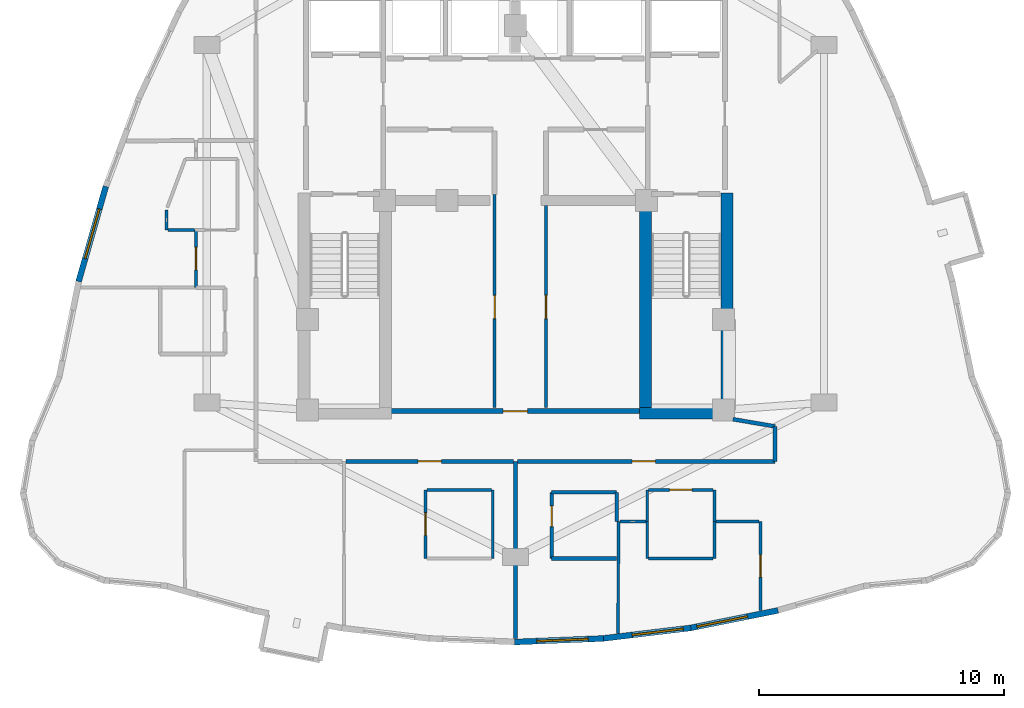
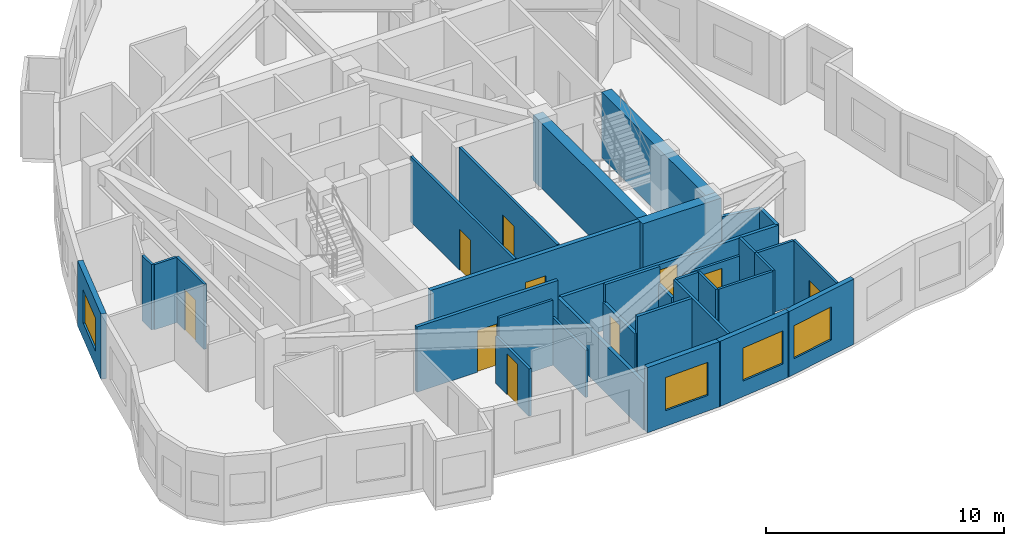
# One storey, part 8 of 13: 35 walls, 10 doors, 4 windows, 14 openings.
"""IFC4 building model written with IfcOpenShell, lengths in metres."""

import ifcopenshell
import ifcopenshell.guid

model = None  # the IFC model being written
_history = None  # IfcOwnerHistory: only IFC2X3 demands one
_inside = {}  # id of a spatial element -> (the spatial element, [elements in it])
_under = {}  # id of a project, library or spatial element -> (it, [spatial elements below it])
_declared = {}  # id of a project -> (the project, [libraries it declares])
_typed = {}  # id of a type object -> (the type object, [elements of that type])
_made_of = {}  # id of a material, layer set ... -> (it, [elements and type objects made of it])


def new_model(schema):
    """Start an empty IFC model of exactly this schema.

    Asked for "IFC4X3", IfcOpenShell would pick the latest addendum, in which some entities
    have other attributes; the version numbers below select the first issue.
    IFC2X3 requires an IfcOwnerHistory on every rooted entity: one is made here for all.
    """
    global model, _history
    if schema == "IFC4X3":
        model = ifcopenshell.file(schema_version=(4, 3, 0, 0))
    else:
        model = ifcopenshell.file(schema=schema)
    _inside.clear()
    _under.clear()
    _declared.clear()
    _typed.clear()
    _made_of.clear()
    _history = None
    if model.schema == "IFC2X3":
        org = make("IfcOrganization", Name="unknown")
        user = make(
            "IfcPersonAndOrganization",
            ThePerson=make("IfcPerson", FamilyName="unknown"),
            TheOrganization=org,
        )
        app = make(
            "IfcApplication",
            ApplicationDeveloper=org,
            Version="unknown",
            ApplicationFullName="unknown",
            ApplicationIdentifier="unknown",
        )
        _history = make(
            "IfcOwnerHistory",
            OwningUser=user,
            OwningApplication=app,
            ChangeAction="ADDED",
            CreationDate=0,
        )
    return model


def make(cls, **values):
    """One entity of the class cls with the attributes given. An attribute that is None is left unset."""
    return model.create_entity(
        cls, **{name: value for name, value in values.items() if value is not None}
    )


def rooted(cls, **values):
    """An entity with a GlobalId (a new one), such as an element, a storey or a relation."""
    return make(cls, GlobalId=ifcopenshell.guid.new(), OwnerHistory=_history, **values)


def si_unit(unit_type, name, prefix=None):
    """IfcSIUnit, for example si_unit("LENGTHUNIT", "METRE", prefix="MILLI")."""
    return make("IfcSIUnit", UnitType=unit_type, Prefix=prefix, Name=name)


def assignment(units):
    """IfcUnitAssignment: the units of a project."""
    return None if units is None else make("IfcUnitAssignment", Units=units)


def point(xyz):
    """IfcCartesianPoint."""
    return None if xyz is None else make("IfcCartesianPoint", Coordinates=xyz)


def direction(xyz):
    """IfcDirection."""
    return None if xyz is None else make("IfcDirection", DirectionRatios=xyz)


def frame(location, z_axis=None, x_axis=None):
    """IfcAxis2Placement3D, a coordinate frame: its origin and axes. An axis left out is left unset."""
    return make(
        "IfcAxis2Placement3D",
        Location=point(location),
        Axis=direction(z_axis),
        RefDirection=direction(x_axis),
    )


def frame_2d(location, x_axis=None):
    """IfcAxis2Placement2D, a coordinate frame in the plane: its origin and x axis."""
    return make(
        "IfcAxis2Placement2D", Location=point(location), RefDirection=direction(x_axis)
    )


def origin():
    """The frame at (0, 0, 0) with its axes left unset."""
    return frame((0.0, 0.0, 0.0))


def place(relative_to, where):
    """IfcLocalPlacement: puts the frame where relative to a parent placement (None: the world)."""
    return make(
        "IfcLocalPlacement", PlacementRelTo=relative_to, RelativePlacement=where
    )


def context(
    kind, dimensions, precision=None, world=None, true_north=None, identifier=None
):
    """IfcGeometricRepresentationContext, for example the 3D "Model" context."""
    return make(
        "IfcGeometricRepresentationContext",
        ContextIdentifier=identifier,
        ContextType=kind,
        CoordinateSpaceDimension=dimensions,
        Precision=precision,
        WorldCoordinateSystem=world,
        TrueNorth=true_north,
    )


def subcontext(parent, identifier, kind, view, scale=None):
    """IfcGeometricRepresentationSubContext, for example "Body" below "Model"."""
    return make(
        "IfcGeometricRepresentationSubContext",
        ContextIdentifier=identifier,
        ContextType=kind,
        ParentContext=parent,
        TargetScale=scale,
        TargetView=view,
    )


def project(units=None, contexts=None):
    """IfcProject with its units and contexts."""
    return rooted(
        "IfcProject",
        Name="project",
        RepresentationContexts=contexts,
        UnitsInContext=assignment(units),
    )


def spatial(cls, under=None, at=None, **own):
    """A site, building, storey or space (cls), placed at a placement, below another one or the project."""
    s = rooted(cls, ObjectPlacement=at, **own)
    if under is not None:
        _under.setdefault(under.id(), (under, []))[1].append(s)
    return s


def profile(cls, at=None, kind="AREA", **sizes):
    """A parametric profile (cls). Its sizes go by their IFC names, for example OverallWidth=200.0."""
    return make(cls, ProfileType=kind, Position=at, **sizes)


def rectangle(**sizes):
    """IfcRectangleProfileDef."""
    return profile("IfcRectangleProfileDef", **sizes)


def extrude(swept, where, along, depth):
    """IfcExtrudedAreaSolid: the profile swept, set in the frame where, extruded along a direction by depth."""
    return make(
        "IfcExtrudedAreaSolid",
        SweptArea=swept,
        Position=where,
        ExtrudedDirection=direction(along),
        Depth=depth,
    )


def shape(context_of_items, identifier, shape_type, items):
    """IfcShapeRepresentation: the items that make up one representation, for example the "Body"."""
    return make(
        "IfcShapeRepresentation",
        ContextOfItems=context_of_items,
        RepresentationIdentifier=identifier,
        RepresentationType=shape_type,
        Items=items,
    )


def material(Name=None, Category=None):
    """IfcMaterial."""
    return make("IfcMaterial", Name=Name, Category=Category)


def layer(
    of_material, thickness, ventilated=None, Name=None, Category=None, Priority=None
):
    """IfcMaterialLayer: one layer of a wall or slab, of a material (None: an air gap)."""
    return make(
        "IfcMaterialLayer",
        Material=of_material,
        LayerThickness=thickness,
        IsVentilated=ventilated,
        Name=Name,
        Category=Category,
        Priority=Priority,
    )


def layer_set(layers, Name=None):
    """IfcMaterialLayerSet."""
    return make("IfcMaterialLayerSet", MaterialLayers=layers, LayerSetName=Name)


def made_of(thing, what):
    """Note that an element or type object is made of a material, layer set ...; save() writes the relation."""
    if what is not None:
        _made_of.setdefault(what.id(), (what, []))[1].append(thing)
    return thing


def type_object(cls, material=None, **own):
    """A type object (cls), such as IfcWallType, which elements share."""
    return made_of(rooted(cls, **own), material)


def element(
    cls,
    number,
    at=None,
    inside=None,
    cuts=None,
    type_object=None,
    material=None,
    context=None,
    identifier="Body",
    shape_type=None,
    held_by="IfcProductDefinitionShape",
    body=None,
    shapes=None,
    **own,
):
    """One element of the class cls, such as IfcWall. Its Tag is "e" and its number.

    at: its placement. inside: the storey or other place that contains it. cuts: it is an
    opening in that element (IfcRelVoidsElement). A single representation is given by context,
    identifier, shape_type and body (its items); several are given by shapes. held_by: the class
    of the entity that holds the representations. save() writes the other relations.
    """
    e = rooted(cls, Tag="e%d" % number, ObjectPlacement=at, **own)
    if body is not None:
        shapes = [shape(context, identifier, shape_type, body)]
    if shapes is not None:
        e.Representation = make(held_by, Representations=shapes)
    if inside is not None:
        _inside.setdefault(inside.id(), (inside, []))[1].append(e)
    if cuts is not None:
        rooted(
            "IfcRelVoidsElement", RelatingBuildingElement=cuts, RelatedOpeningElement=e
        )
    if type_object is not None:
        _typed.setdefault(type_object.id(), (type_object, []))[1].append(e)
    return made_of(e, material)


def fill(opening, filler):
    """IfcRelFillsElement: the door or window that sits in an opening."""
    return rooted(
        "IfcRelFillsElement",
        RelatingOpeningElement=opening,
        RelatedBuildingElement=filler,
    )


def aggregate(whole, parts):
    """IfcRelAggregates: a whole, such as a stair, and the parts it consists of."""
    return rooted("IfcRelAggregates", RelatingObject=whole, RelatedObjects=parts)


def save(model, path):
    """Write the relations noted so far, then the file.

    IfcRelAggregates (storeys below a building ...), IfcRelContainedInSpatialStructure (elements
    in a storey), IfcRelDefinesByType, IfcRelAssociatesMaterial and IfcRelDeclares: one each for
    every whole, place, type object, material and project.
    """
    for whole, parts in _under.values():
        aggregate(whole, parts)
    for where, things in _inside.values():
        rooted(
            "IfcRelContainedInSpatialStructure",
            RelatedElements=things,
            RelatingStructure=where,
        )
    for kind, things in _typed.values():
        rooted("IfcRelDefinesByType", RelatedObjects=things, RelatingType=kind)
    for what, things in _made_of.values():
        rooted("IfcRelAssociatesMaterial", RelatedObjects=things, RelatingMaterial=what)
    for by, libraries in _declared.values():
        rooted("IfcRelDeclares", RelatingContext=by, RelatedDefinitions=libraries)
    model.write(path)


model = new_model("IFC4")

# Units and contexts
model_context = context("Model", 3, precision=1e-05, world=origin(), true_north=direction((0.0, 1.0)))
body_context = subcontext(model_context, "Body", "Model", "MODEL_VIEW")
ifc_project = project(units=[si_unit("LENGTHUNIT", "METRE"), si_unit("AREAUNIT", "SQUARE_METRE"), si_unit("VOLUMEUNIT", "CUBIC_METRE"), si_unit("PLANEANGLEUNIT", "RADIAN"), si_unit("MASSUNIT", "GRAM", prefix="KILO")], contexts=[model_context])

# Site, building, storey
site_placement = place(None, origin())
site = spatial("IfcSite", under=ifc_project, at=site_placement, CompositionType="ELEMENT")
building_placement = place(site_placement, origin())
building = spatial("IfcBuilding", under=site, at=building_placement, Name="Miruveldt Soraemaru", CompositionType="ELEMENT")
storey_placement = place(building_placement, frame((0.0, 0.0, 201.60009765625)))
storey = spatial("IfcBuildingStorey", under=building, at=storey_placement, Name="L55", CompositionType="ELEMENT", Elevation=201.60009765625)

# Walls
ifc_material_1 = material(Name="Concrete C60/75 (60 MPa)", Category="concrete")
ifc_layer_1 = layer(ifc_material_1, 0.47998046875, Name="Concrete C60/75 (60 MPa)", Category="concrete")
ifc_layer_set_1 = layer_set([ifc_layer_1], Name="Concrete C60/75 (60 MPa)")
wall_type_1 = type_object("IfcWallType", Name="WALL-CW-480", PredefinedType="SHEAR", material=ifc_layer_set_1)
wall_1_placement = place(storey_placement, frame((49.070068359375, 35.360107421875, 0.0), z_axis=(0.0, 0.0, 1.0), x_axis=(1.0, 0.0, 0.0)))
element("IfcWall", 1, at=wall_1_placement, inside=storey, type_object=wall_type_1, Name="L55 Central Core Shear Wall S2", PredefinedType="SHEAR", context=body_context, shape_type="SweptSolid", body=[
    extrude(rectangle(XDim=3.809814453125, YDim=0.47998046875, at=frame_2d((1.90478515625, 0.0))), origin(), (0.0, 0.0, 1.0), 3.344970703125),
])
wall_2_placement = place(storey_placement, frame((52.639892578125, 35.1201171875, 0.0), z_axis=(0.0, 0.0, 1.0), x_axis=(0.0, 1.0, 0.0)))
element("IfcWall", 2, at=wall_2_placement, inside=storey, type_object=wall_type_1, Name="L55 Central Core Shear Wall E1", PredefinedType="SHEAR", context=body_context, shape_type="SweptSolid", body=[
    extrude(rectangle(XDim=9.22998046875, YDim=0.47998046875, at=frame_2d((4.614990234375, 0.0))), origin(), (0.0, 0.0, 1.0), 3.344970703125),
])
wall_3_placement = place(storey_placement, frame((49.31005859375, 35.39990234375, 0.0), z_axis=(0.0, 0.0, 1.0), x_axis=(0.0, 1.0, 0.0)))
element("IfcWall", 3, at=wall_3_placement, inside=storey, type_object=wall_type_1, Name="L55 Central Core Shear Wall SE-INT", PredefinedType="SHEAR", context=body_context, shape_type="SweptSolid", body=[
    extrude(rectangle(XDim=8.9501953125, YDim=0.47998046875, at=frame_2d((4.47509765625, 0.0))), origin(), (0.0, 0.0, 1.0), 3.344970703125),
])

# Wall, opening, window
ifc_material_2 = material(Name="Precast concrete C45/55 (45 MPa)", Category="concrete")
ifc_layer_2 = layer(ifc_material_2, 0.239990234375, Name="Precast concrete C45/55 (45 MPa)", Category="concrete")
ifc_layer_set_2 = layer_set([ifc_layer_2], Name="Precast concrete C45/55 (45 MPa)")
wall_type_2 = type_object("IfcWallType", Name="WALL-EXT-PC240", PredefinedType="SOLIDWALL", material=ifc_layer_set_2)
wall_4_placement = place(storey_placement, frame((27.270263671875, 44.625732421875, 0.0), z_axis=(0.0, 0.0, 1.0), x_axis=(-0.274960878959, -0.961455415005, 0.0)))
wall_4 = element("IfcWall", 4, at=wall_4_placement, inside=storey, type_object=wall_type_2, Name="L55 Precast Concrete Facade Wall 13", PredefinedType="SOLIDWALL", context=body_context, shape_type="SweptSolid", body=[
    extrude(rectangle(XDim=4.03466796875, YDim=0.239990234375, at=frame_2d((2.017333984375, 0.0))), origin(), (0.0, 0.0, 1.0), 3.344970703125),
])
opening_1_placement = place(wall_4_placement, frame((0.9580078125, 0.0, 0.800048828125)))
opening_1 = element("IfcOpeningElement", 5, at=opening_1_placement, cuts=wall_4, Name="Opening WN-1", PredefinedType="OPENING", context=body_context, shape_type="SweptSolid", body=[
    extrude(rectangle(XDim=2.10009765625, YDim=1.699951171875, at=frame_2d((1.050048828125, 0.85009765625))), frame((0.0, 0.1298828125, 0.0), z_axis=(0.0, -1.0, 0.0), x_axis=(1.0, 0.0, 0.0)), (0.0, 0.0, 1.0), 0.260009765625),
])
ifc_material_3 = material(Name="Triple low-e insulated glazing", Category="glass")
window_type = type_object("IfcWindowType", Name="WIN-PUNCH-2100x1700", PartitioningType="SINGLE_PANEL", PredefinedType="WINDOW", material=ifc_material_3)
window_1_placement = place(opening_1_placement, origin())
window_1 = element("IfcWindow", 6, at=window_1_placement, inside=storey, type_object=window_type, Name="L55 Punched Triple-Glazed Window 13.1", OverallHeight=1.699951171875, OverallWidth=2.10009765625, PartitioningType="SINGLE_PANEL", PredefinedType="WINDOW", context=body_context, shape_type="SweptSolid", body=[
    extrude(rectangle(XDim=2.10009765625, YDim=1.699951171875, at=frame_2d((1.050048828125, 0.85009765625))), frame((0.0, 0.030029296875, 0.0), z_axis=(0.0, -1.0, 0.0), x_axis=(1.0, 0.0, 0.0)), (0.0, 0.0, 1.0), 0.06005859375),
])
fill(opening_1, window_1)

wall_5_placement = place(storey_placement, frame((43.965087890625, 26.022705078125, 0.0), z_axis=(0.0, 0.0, 1.0), x_axis=(0.999201387771, 0.039957310688, 0.0)))
wall_5 = element("IfcWall", 7, at=wall_5_placement, inside=storey, type_object=wall_type_2, Name="L55 Precast Concrete Facade Wall 25", PredefinedType="SOLIDWALL", context=body_context, shape_type="SweptSolid", body=[
    extrude(rectangle(XDim=3.635498046875, YDim=0.239990234375, at=frame_2d((1.81787109375, 0.0))), origin(), (0.0, 0.0, 1.0), 3.344970703125),
])
opening_2_placement = place(wall_5_placement, frame((0.907958984375, 0.0, 0.800048828125)))
opening_2 = element("IfcOpeningElement", 8, at=opening_2_placement, cuts=wall_5, Name="Opening WN-1", PredefinedType="OPENING", context=body_context, shape_type="SweptSolid", body=[
    extrude(rectangle(XDim=2.10009765625, YDim=1.699951171875, at=frame_2d((1.050048828125, 0.85009765625))), frame((0.0, 0.1298828125, 0.0), z_axis=(0.0, -1.0, 0.0), x_axis=(1.0, 0.0, 0.0)), (0.0, 0.0, 1.0), 0.260009765625),
])
window_2_placement = place(opening_2_placement, origin())
window_2 = element("IfcWindow", 9, at=window_2_placement, inside=storey, type_object=window_type, Name="L55 Punched Triple-Glazed Window 25.1", OverallHeight=1.699951171875, OverallWidth=2.10009765625, PartitioningType="SINGLE_PANEL", PredefinedType="WINDOW", context=body_context, shape_type="SweptSolid", body=[
    extrude(rectangle(XDim=2.10009765625, YDim=1.699951171875, at=frame_2d((1.050048828125, 0.85009765625))), frame((0.0, 0.030029296875, 0.0), z_axis=(0.0, -1.0, 0.0), x_axis=(1.0, 0.0, 0.0)), (0.0, 0.0, 1.0), 0.06005859375),
])
fill(opening_2, window_2)

wall_6_placement = place(storey_placement, frame((47.52783203125, 26.162353515625, 0.0), z_axis=(0.0, 0.0, 1.0), x_axis=(0.992878733164, 0.119129430577, 0.0)))
wall_6 = element("IfcWall", 10, at=wall_6_placement, inside=storey, type_object=wall_type_2, Name="L55 Precast Concrete Facade Wall 26", PredefinedType="SOLIDWALL", context=body_context, shape_type="SweptSolid", body=[
    extrude(rectangle(XDim=3.658203125, YDim=0.239990234375, at=frame_2d((1.8291015625, 0.0))), origin(), (0.0, 0.0, 1.0), 3.344970703125),
])
opening_3_placement = place(wall_6_placement, frame((1.241943359375, 0.0, 0.800048828125)))
opening_3 = element("IfcOpeningElement", 11, at=opening_3_placement, cuts=wall_6, Name="Opening WN-1", PredefinedType="OPENING", context=body_context, shape_type="SweptSolid", body=[
    extrude(rectangle(XDim=2.10009765625, YDim=1.699951171875, at=frame_2d((1.050048828125, 0.85009765625))), frame((0.0, 0.1298828125, 0.0), z_axis=(0.0, -1.0, 0.0), x_axis=(1.0, 0.0, 0.0)), (0.0, 0.0, 1.0), 0.260009765625),
])
window_3_placement = place(opening_3_placement, origin())
window_3 = element("IfcWindow", 12, at=window_3_placement, inside=storey, type_object=window_type, Name="L55 Punched Triple-Glazed Window 26.1", OverallHeight=1.699951171875, OverallWidth=2.10009765625, PartitioningType="SINGLE_PANEL", PredefinedType="WINDOW", context=body_context, shape_type="SweptSolid", body=[
    extrude(rectangle(XDim=2.10009765625, YDim=1.699951171875, at=frame_2d((1.050048828125, 0.85009765625))), frame((0.0, 0.030029296875, 0.0), z_axis=(0.0, -1.0, 0.0), x_axis=(1.0, 0.0, 0.0)), (0.0, 0.0, 1.0), 0.06005859375),
])
fill(opening_3, window_3)

wall_7_placement = place(storey_placement, frame((51.0908203125, 26.587158203125, 0.0), z_axis=(0.0, 0.0, 1.0), x_axis=(0.980575603831, 0.196141492732, 0.0)))
wall_7 = element("IfcWall", 13, at=wall_7_placement, inside=storey, type_object=wall_type_2, Name="L55 Precast Concrete Facade Wall 27", PredefinedType="SOLIDWALL", context=body_context, shape_type="SweptSolid", body=[
    extrude(rectangle(XDim=3.703125, YDim=0.239990234375, at=frame_2d((1.8515625, 0.0))), origin(), (0.0, 0.0, 1.0), 3.344970703125),
])
opening_4_placement = place(wall_7_placement, frame((0.327880859375, 0.0, 0.800048828125)))
opening_4 = element("IfcOpeningElement", 14, at=opening_4_placement, cuts=wall_7, Name="Opening WN-1", PredefinedType="OPENING", context=body_context, shape_type="SweptSolid", body=[
    extrude(rectangle(XDim=2.10009765625, YDim=1.699951171875, at=frame_2d((1.050048828125, 0.85009765625))), frame((0.0, 0.1298828125, 0.0), z_axis=(0.0, -1.0, 0.0), x_axis=(1.0, 0.0, 0.0)), (0.0, 0.0, 1.0), 0.260009765625),
])
window_4_placement = place(opening_4_placement, origin())
window_4 = element("IfcWindow", 15, at=window_4_placement, inside=storey, type_object=window_type, Name="L55 Punched Triple-Glazed Window 27.1", OverallHeight=1.699951171875, OverallWidth=2.10009765625, PartitioningType="SINGLE_PANEL", PredefinedType="WINDOW", context=body_context, shape_type="SweptSolid", body=[
    extrude(rectangle(XDim=2.10009765625, YDim=1.699951171875, at=frame_2d((1.050048828125, 0.85009765625))), frame((0.0, 0.030029296875, 0.0), z_axis=(0.0, -1.0, 0.0), x_axis=(1.0, 0.0, 0.0)), (0.0, 0.0, 1.0), 0.06005859375),
])
fill(opening_4, window_4)

# Wall, opening, door
ifc_material_4 = material(Name="Gypsum plasterboard lining", Category="gypsum")
ifc_layer_3 = layer(ifc_material_4, 0.1201171875, Name="Gypsum plasterboard lining", Category="gypsum")
ifc_layer_set_3 = layer_set([ifc_layer_3], Name="Gypsum plasterboard lining")
wall_type_3 = type_object("IfcWallType", Name="WALL-INT-P120", PredefinedType="PARTITIONING", material=ifc_layer_set_3)
wall_8_placement = place(storey_placement, frame((43.14990234375, 35.60009765625, 0.0), z_axis=(0.0, 0.0, 1.0), x_axis=(0.0, 1.0, 0.0)))
wall_8 = element("IfcWall", 16, at=wall_8_placement, inside=storey, type_object=wall_type_3, Name="L55 Core Compartment Wall SP-WL", PredefinedType="PARTITIONING", context=body_context, shape_type="SweptSolid", body=[
    extrude(rectangle(XDim=8.699951171875, YDim=0.1201171875, at=frame_2d((4.35009765625, 0.0))), origin(), (0.0, 0.0, 1.0), 3.344970703125),
])
opening_5_placement = place(wall_8_placement, frame((3.625, 0.0, 0.0)))
opening_5 = element("IfcOpeningElement", 17, at=opening_5_placement, cuts=wall_8, Name="Opening D2", PredefinedType="OPENING", context=body_context, shape_type="SweptSolid", body=[
    extrude(rectangle(XDim=0.949951171875, YDim=2.10009765625, at=frame_2d((0.47509765625, 1.050048828125))), frame((0.0, 0.070068359375, 0.0), z_axis=(0.0, -1.0, 0.0), x_axis=(1.0, 0.0, 0.0)), (0.0, 0.0, 1.0), 0.14013671875),
])
ifc_material_5 = material(Name="Anodised aluminium EN AW-6063 T6", Category="aluminium")
door_type_1 = type_object("IfcDoorType", Name="DOOR-INT-950", OperationType="NOTDEFINED", PredefinedType="DOOR", material=ifc_material_5)
door_1_placement = place(opening_5_placement, origin())
door_1 = element("IfcDoor", 18, at=door_1_placement, inside=storey, type_object=door_type_1, Name="L55 Fire Door", OperationType="SINGLE_SWING_LEFT", OverallHeight=2.10009765625, OverallWidth=0.949951171875, PredefinedType="DOOR", context=body_context, shape_type="SweptSolid", body=[
    extrude(rectangle(XDim=0.949951171875, YDim=2.10009765625, at=frame_2d((0.47509765625, 1.050048828125))), frame((0.0, 0.02490234375, 0.0), z_axis=(0.0, -1.0, 0.0), x_axis=(1.0, 0.0, 0.0)), (0.0, 0.0, 1.0), 0.050048828125),
])
fill(opening_5, door_1)

wall_9_placement = place(storey_placement, frame((45.25, 35.60009765625, 0.0), z_axis=(0.0, 0.0, 1.0), x_axis=(0.0, 1.0, 0.0)))
wall_9 = element("IfcWall", 19, at=wall_9_placement, inside=storey, type_object=wall_type_3, Name="L55 Core Compartment Wall SP-EL", PredefinedType="PARTITIONING", context=body_context, shape_type="SweptSolid", body=[
    extrude(rectangle(XDim=8.25, YDim=0.1201171875, at=frame_2d((4.125, 0.0))), origin(), (0.0, 0.0, 1.0), 3.344970703125),
])
opening_6_placement = place(wall_9_placement, frame((3.625, 0.0, 0.0)))
opening_6 = element("IfcOpeningElement", 20, at=opening_6_placement, cuts=wall_9, Name="Opening D2", PredefinedType="OPENING", context=body_context, shape_type="SweptSolid", body=[
    extrude(rectangle(XDim=0.949951171875, YDim=2.10009765625, at=frame_2d((0.47509765625, 1.050048828125))), frame((0.0, 0.070068359375, 0.0), z_axis=(0.0, -1.0, 0.0), x_axis=(1.0, 0.0, 0.0)), (0.0, 0.0, 1.0), 0.14013671875),
])
door_2_placement = place(opening_6_placement, origin())
door_2 = element("IfcDoor", 21, at=door_2_placement, inside=storey, type_object=door_type_1, Name="L55 Fire Door", OperationType="SINGLE_SWING_LEFT", OverallHeight=2.10009765625, OverallWidth=0.949951171875, PredefinedType="DOOR", context=body_context, shape_type="SweptSolid", body=[
    extrude(rectangle(XDim=0.949951171875, YDim=2.10009765625, at=frame_2d((0.47509765625, 1.050048828125))), frame((0.0, 0.02490234375, 0.0), z_axis=(0.0, -1.0, 0.0), x_axis=(1.0, 0.0, 0.0)), (0.0, 0.0, 1.0), 0.050048828125),
])
fill(opening_6, door_2)

wall_10_placement = place(storey_placement, frame((54.012939453125, 30.949951171875, 0.0), z_axis=(0.0, 0.0, 1.0), x_axis=(-0.003015667831, -0.999995452863, 0.0)))
wall_10 = element("IfcWall", 22, at=wall_10_placement, inside=storey, type_object=wall_type_3, Name="L55 Partition Wall 52", PredefinedType="PARTITIONING", context=body_context, shape_type="SweptSolid", body=[
    extrude(rectangle(XDim=3.64306640625, YDim=0.1201171875, at=frame_2d((1.821533203125, 0.0))), origin(), (0.0, 0.0, 1.0), 3.344970703125),
])
opening_7_placement = place(wall_10_placement, frame((1.362060546875, 0.0, 0.0)))
opening_7 = element("IfcOpeningElement", 23, at=opening_7_placement, cuts=wall_10, Name="Opening D3A", PredefinedType="OPENING", context=body_context, shape_type="SweptSolid", body=[
    extrude(rectangle(XDim=0.919921875, YDim=2.10009765625, at=frame_2d((0.4599609375, 1.050048828125))), frame((0.0, 0.070068359375, 0.0), z_axis=(0.0, -1.0, 0.0), x_axis=(1.0, 0.0, 0.0)), (0.0, 0.0, 1.0), 0.14013671875),
])
door_type_2 = type_object("IfcDoorType", Name="DOOR-INT-920", OperationType="NOTDEFINED", PredefinedType="DOOR", material=ifc_material_5)
door_3_placement = place(opening_7_placement, origin())
door_3 = element("IfcDoor", 24, at=door_3_placement, inside=storey, type_object=door_type_2, Name="L55 Unit 5504 BD1 Door", OperationType="SINGLE_SWING_LEFT", OverallHeight=2.10009765625, OverallWidth=0.919921875, PredefinedType="DOOR", context=body_context, shape_type="SweptSolid", body=[
    extrude(rectangle(XDim=0.919921875, YDim=2.10009765625, at=frame_2d((0.4599609375, 1.050048828125))), frame((0.0, 0.02490234375, 0.0), z_axis=(0.0, -1.0, 0.0), x_axis=(1.0, 0.0, 0.0)), (0.0, 0.0, 1.0), 0.050048828125),
])
fill(opening_7, door_3)

wall_11_placement = place(storey_placement, frame((40.322021484375, 32.236083984375, 0.0), z_axis=(0.0, 0.0, 1.0), x_axis=(0.0, -1.0, 0.0)))
wall_11 = element("IfcWall", 25, at=wall_11_placement, inside=storey, type_object=wall_type_3, Name="L55 Partition Wall 28", PredefinedType="PARTITIONING", context=body_context, shape_type="SweptSolid", body=[
    extrude(rectangle(XDim=2.800048828125, YDim=0.1201171875, at=frame_2d((1.39990234375, 0.0))), origin(), (0.0, 0.0, 1.0), 2.432861328125),
])
opening_8_placement = place(wall_11_placement, frame((0.93994140625, 0.0, 0.0)))
opening_8 = element("IfcOpeningElement", 26, at=opening_8_placement, cuts=wall_11, Name="Opening D3A", PredefinedType="OPENING", context=body_context, shape_type="SweptSolid", body=[
    extrude(rectangle(XDim=0.919921875, YDim=2.10009765625, at=frame_2d((0.4599609375, 1.050048828125))), frame((0.0, 0.070068359375, 0.0), z_axis=(0.0, -1.0, 0.0), x_axis=(1.0, 0.0, 0.0)), (0.0, 0.0, 1.0), 0.14013671875),
])
door_4_placement = place(opening_8_placement, origin())
door_4 = element("IfcDoor", 27, at=door_4_placement, inside=storey, type_object=door_type_2, Name="L55 Unit 5502 KIT Door", OperationType="SINGLE_SWING_RIGHT", OverallHeight=2.10009765625, OverallWidth=0.919921875, PredefinedType="DOOR", context=body_context, shape_type="SweptSolid", body=[
    extrude(rectangle(XDim=0.919921875, YDim=2.10009765625, at=frame_2d((0.4599609375, 1.050048828125))), frame((0.0, 0.02490234375, 0.0), z_axis=(0.0, -1.0, 0.0), x_axis=(1.0, 0.0, 0.0)), (0.0, 0.0, 1.0), 0.050048828125),
])
fill(opening_8, door_4)

wall_12_placement = place(storey_placement, frame((52.070068359375, 32.236083984375, 0.0), z_axis=(0.0, 0.0, 1.0), x_axis=(-1.0, 0.0, 0.0)))
wall_12 = element("IfcWall", 28, at=wall_12_placement, inside=storey, type_object=wall_type_3, Name="L55 Partition Wall 48", PredefinedType="PARTITIONING", context=body_context, shape_type="SweptSolid", body=[
    extrude(rectangle(XDim=2.630126953125, YDim=0.1201171875, at=frame_2d((1.31494140625, 0.0))), origin(), (0.0, 0.0, 1.0), 2.432861328125),
])
opening_9_placement = place(wall_12_placement, frame((0.85498046875, 0.0, 0.0)))
opening_9 = element("IfcOpeningElement", 29, at=opening_9_placement, cuts=wall_12, Name="Opening D3A", PredefinedType="OPENING", context=body_context, shape_type="SweptSolid", body=[
    extrude(rectangle(XDim=0.919921875, YDim=2.10009765625, at=frame_2d((0.4599609375, 1.050048828125))), frame((0.0, 0.070068359375, 0.0), z_axis=(0.0, -1.0, 0.0), x_axis=(1.0, 0.0, 0.0)), (0.0, 0.0, 1.0), 0.14013671875),
])
door_5_placement = place(opening_9_placement, origin())
door_5 = element("IfcDoor", 30, at=door_5_placement, inside=storey, type_object=door_type_2, Name="L55 Unit 5504 KIT Door", OperationType="SINGLE_SWING_RIGHT", OverallHeight=2.10009765625, OverallWidth=0.919921875, PredefinedType="DOOR", context=body_context, shape_type="SweptSolid", body=[
    extrude(rectangle(XDim=0.919921875, YDim=2.10009765625, at=frame_2d((0.4599609375, 1.050048828125))), frame((0.0, 0.02490234375, 0.0), z_axis=(0.0, -1.0, 0.0), x_axis=(1.0, 0.0, 0.0)), (0.0, 0.0, 1.0), 0.050048828125),
])
fill(opening_9, door_5)

wall_13_placement = place(storey_placement, frame((30.949951171875, 42.85009765625, 0.0), z_axis=(0.0, 0.0, 1.0), x_axis=(0.0, -1.0, 0.0)))
wall_13 = element("IfcWall", 31, at=wall_13_placement, inside=storey, type_object=wall_type_3, Name="L55 Partition Wall 39", PredefinedType="PARTITIONING", context=body_context, shape_type="SweptSolid", body=[
    extrude(rectangle(XDim=2.34814453125, YDim=0.1201171875, at=frame_2d((1.174072265625, 0.0))), origin(), (0.0, 0.0, 1.0), 3.344970703125),
])
opening_10_placement = place(wall_13_placement, frame((0.714111328125, 0.0, 0.0)))
opening_10 = element("IfcOpeningElement", 32, at=opening_10_placement, cuts=wall_13, Name="Opening D3A", PredefinedType="OPENING", context=body_context, shape_type="SweptSolid", body=[
    extrude(rectangle(XDim=0.919921875, YDim=2.10009765625, at=frame_2d((0.4599609375, 1.050048828125))), frame((0.0, 0.070068359375, 0.0), z_axis=(0.0, -1.0, 0.0), x_axis=(1.0, 0.0, 0.0)), (0.0, 0.0, 1.0), 0.14013671875),
])
door_6_placement = place(opening_10_placement, origin())
door_6 = element("IfcDoor", 33, at=door_6_placement, inside=storey, type_object=door_type_2, Name="L55 Unit 5503 BD1 Door", OperationType="SINGLE_SWING_LEFT", OverallHeight=2.10009765625, OverallWidth=0.919921875, PredefinedType="DOOR", context=body_context, shape_type="SweptSolid", body=[
    extrude(rectangle(XDim=0.919921875, YDim=2.10009765625, at=frame_2d((0.4599609375, 1.050048828125))), frame((0.0, 0.02490234375, 0.0), z_axis=(0.0, -1.0, 0.0), x_axis=(1.0, 0.0, 0.0)), (0.0, 0.0, 1.0), 0.050048828125),
])
fill(opening_10, door_6)

# Walls
wall_14_placement = place(storey_placement, frame((48.193115234375, 26.3779296875, 0.0), z_axis=(0.0, 0.0, 1.0), x_axis=(0.001495165734, 0.999998882239, 0.0)))
element("IfcWall", 34, at=wall_14_placement, inside=storey, type_object=wall_type_3, Name="L55 Partition Wall 64", PredefinedType="PARTITIONING", context=body_context, shape_type="SweptSolid", body=[
    extrude(rectangle(XDim=4.572021484375, YDim=0.1201171875, at=frame_2d((2.2861328125, 0.0))), origin(), (0.0, 0.0, 1.0), 3.344970703125),
])
wall_15_placement = place(storey_placement, frame((43.072021484375, 29.43603515625, 0.0), z_axis=(0.0, 0.0, 1.0), x_axis=(0.0, 1.0, 0.0)))
element("IfcWall", 35, at=wall_15_placement, inside=storey, type_object=wall_type_3, Name="L55 Partition Wall 26", PredefinedType="PARTITIONING", context=body_context, shape_type="SweptSolid", body=[
    extrude(rectangle(XDim=2.800048828125, YDim=0.1201171875, at=frame_2d((1.39990234375, 0.0))), origin(), (0.0, 0.0, 1.0), 2.432861328125),
])
wall_16_placement = place(storey_placement, frame((43.011962890625, 32.236083984375, 0.0), z_axis=(0.0, 0.0, 1.0), x_axis=(-1.0, 0.0, 0.0)))
element("IfcWall", 36, at=wall_16_placement, inside=storey, type_object=wall_type_3, Name="L55 Partition Wall 27", PredefinedType="PARTITIONING", context=body_context, shape_type="SweptSolid", body=[
    extrude(rectangle(XDim=2.6298828125, YDim=0.1201171875, at=frame_2d((1.31494140625, 0.0))), origin(), (0.0, 0.0, 1.0), 3.344970703125),
])
wall_17_placement = place(storey_placement, frame((49.43994140625, 29.43603515625, 0.0), z_axis=(0.0, 0.0, 1.0), x_axis=(1.0, 0.0, 0.0)))
element("IfcWall", 37, at=wall_17_placement, inside=storey, type_object=wall_type_3, Name="L55 Partition Wall 54", PredefinedType="PARTITIONING", context=body_context, shape_type="SweptSolid", body=[
    extrude(rectangle(XDim=2.630126953125, YDim=0.1201171875, at=frame_2d((1.31494140625, 0.0))), origin(), (0.0, 0.0, 1.0), 3.344970703125),
])
wall_18_placement = place(storey_placement, frame((52.18994140625, 30.949951171875, 0.0), z_axis=(0.0, 0.0, 1.0), x_axis=(1.0, 0.0, 0.0)))
element("IfcWall", 38, at=wall_18_placement, inside=storey, type_object=wall_type_3, Name="L55 Partition Wall 51", PredefinedType="PARTITIONING", context=body_context, shape_type="SweptSolid", body=[
    extrude(rectangle(XDim=1.762939453125, YDim=0.1201171875, at=frame_2d((0.88134765625, 0.0))), origin(), (0.0, 0.0, 1.0), 3.344970703125),
])
for number, where, z_axis, x_axis, name in (
    (39, (49.3798828125, 30.949951171875, 0.0), (0.0, 0.0, 1.0), (0.0, -1.0, 0.0), "L55 Partition Wall 53"),
    (40, (52.1298828125, 29.43603515625, 0.0), (0.0, 0.0, 1.0), (0.0, 1.0, 0.0), "L55 Partition Wall 55"),
):
    element("IfcWall", number, at=place(storey_placement, frame(where, z_axis=z_axis, x_axis=x_axis)), inside=storey, type_object=wall_type_3, Name=name, PredefinedType="PARTITIONING", context=body_context, shape_type="SweptSolid", body=[
        extrude(rectangle(XDim=1.513916015625, YDim=0.1201171875, at=frame_2d((0.7568359375, 0.0))), origin(), (0.0, 0.0, 1.0), 3.344970703125),
    ])
wall_19_placement = place(storey_placement, frame((52.1298828125, 30.949951171875, 0.0), z_axis=(0.0, 0.0, 1.0), x_axis=(0.0, 1.0, 0.0)))
element("IfcWall", 41, at=wall_19_placement, inside=storey, type_object=wall_type_3, Name="L55 Partition Wall 47", PredefinedType="PARTITIONING", context=body_context, shape_type="SweptSolid", body=[
    extrude(rectangle(XDim=1.2861328125, YDim=0.1201171875, at=frame_2d((0.64306640625, 0.0))), origin(), (0.0, 0.0, 1.0), 3.344970703125),
])
wall_20_placement = place(storey_placement, frame((49.3798828125, 32.236083984375, 0.0), z_axis=(0.0, 0.0, 1.0), x_axis=(0.0, -1.0, 0.0)))
element("IfcWall", 42, at=wall_20_placement, inside=storey, type_object=wall_type_3, Name="L55 Partition Wall 49", PredefinedType="PARTITIONING", context=body_context, shape_type="SweptSolid", body=[
    extrude(rectangle(XDim=1.2861328125, YDim=0.1201171875, at=frame_2d((0.64306640625, 0.0))), origin(), (0.0, 0.0, 1.0), 2.432861328125),
])
wall_21_placement = place(storey_placement, frame((29.81005859375, 42.85009765625, 0.0), z_axis=(0.0, 0.0, 1.0), x_axis=(1.0, 0.0, 0.0)))
element("IfcWall", 43, at=wall_21_placement, inside=storey, type_object=wall_type_3, Name="L55 Partition Wall 42", PredefinedType="PARTITIONING", context=body_context, shape_type="SweptSolid", body=[
    extrude(rectangle(XDim=1.079833984375, YDim=0.1201171875, at=frame_2d((0.5400390625, 0.0))), origin(), (0.0, 0.0, 1.0), 3.344970703125),
])
wall_22_placement = place(storey_placement, frame((48.260009765625, 30.949951171875, 0.0), z_axis=(0.0, 0.0, 1.0), x_axis=(1.0, 0.0, 0.0)))
element("IfcWall", 44, at=wall_22_placement, inside=storey, type_object=wall_type_3, Name="L55 Partition Wall 50", PredefinedType="PARTITIONING", context=body_context, shape_type="SweptSolid", body=[
    extrude(rectangle(XDim=1.06005859375, YDim=0.1201171875, at=frame_2d((0.530029296875, 0.0))), origin(), (0.0, 0.0, 1.0), 3.344970703125),
])
wall_23_placement = place(storey_placement, frame((29.75, 43.658935546875, 0.0), z_axis=(0.0, 0.0, 1.0), x_axis=(0.0, -1.0, 0.0)))
element("IfcWall", 45, at=wall_23_placement, inside=storey, type_object=wall_type_3, Name="L55 Partition Wall 41", PredefinedType="PARTITIONING", context=body_context, shape_type="SweptSolid", body=[
    extrude(rectangle(XDim=0.808837890625, YDim=0.1201171875, at=frame_2d((0.404296875, 0.0))), origin(), (0.0, 0.0, 1.0), 3.344970703125),
])

# Wall, opening, door
ifc_layer_4 = layer(ifc_material_4, 0.14990234375, Name="Gypsum plasterboard lining", Category="gypsum")
ifc_layer_set_4 = layer_set([ifc_layer_4], Name="Gypsum plasterboard lining")
wall_type_4 = type_object("IfcWallType", Name="WALL-INT-PLUMB", PredefinedType="PLUMBINGWALL", material=ifc_layer_set_4)
wall_24_placement = place(storey_placement, frame((45.47998046875, 32.135986328125, 0.0), z_axis=(0.0, 0.0, 1.0), x_axis=(0.0, -1.0, 0.0)))
wall_24 = element("IfcWall", 46, at=wall_24_placement, inside=storey, type_object=wall_type_4, Name="L55 Partition Wall 45", PredefinedType="PLUMBINGWALL", context=body_context, shape_type="SweptSolid", body=[
    extrude(rectangle(XDim=2.699951171875, YDim=0.14990234375, at=frame_2d((1.35009765625, 0.0))), origin(), (0.0, 0.0, 1.0), 2.432861328125),
])
opening_11_placement = place(wall_24_placement, frame((0.550048828125, 0.0, 0.0)))
opening_11 = element("IfcOpeningElement", 47, at=opening_11_placement, cuts=wall_24, Name="Opening FD3", PredefinedType="OPENING", context=body_context, shape_type="SweptSolid", body=[
    extrude(rectangle(XDim=0.85009765625, YDim=2.10009765625, at=frame_2d((0.425048828125, 1.050048828125))), frame((0.0, 0.0849609375, 0.0), z_axis=(0.0, -1.0, 0.0), x_axis=(1.0, 0.0, 0.0)), (0.0, 0.0, 1.0), 0.169921875),
])
door_type_3 = type_object("IfcDoorType", Name="DOOR-FD3-850", OperationType="NOTDEFINED", PredefinedType="DOOR", material=ifc_material_5)
door_7_placement = place(opening_11_placement, origin())
door_7 = element("IfcDoor", 48, at=door_7_placement, inside=storey, type_object=door_type_3, Name="L55 Unit 5504 BTH Door", OperationType="SINGLE_SWING_LEFT", OverallHeight=2.10009765625, OverallWidth=0.85009765625, PredefinedType="DOOR", context=body_context, shape_type="SweptSolid", body=[
    extrude(rectangle(XDim=0.85009765625, YDim=2.10009765625, at=frame_2d((0.425048828125, 1.050048828125))), frame((0.0, 0.02490234375, 0.0), z_axis=(0.0, -1.0, 0.0), x_axis=(1.0, 0.0, 0.0)), (0.0, 0.0, 1.0), 0.050048828125),
])
fill(opening_11, door_7)

# Walls
wall_25_placement = place(storey_placement, frame((48.1298828125, 30.9501953125, 0.0), z_axis=(0.0, 0.0, 1.0), x_axis=(0.0, 1.0, 0.0)))
element("IfcWall", 49, at=wall_25_placement, inside=storey, type_object=wall_type_4, Name="L55 Partition Wall 43", PredefinedType="PLUMBINGWALL", context=body_context, shape_type="SweptSolid", body=[
    extrude(rectangle(XDim=1.185791015625, YDim=0.14990234375, at=frame_2d((0.5927734375, 0.0))), origin(), (0.0, 0.0, 1.0), 2.432861328125),
])
for number, where, z_axis, x_axis, name in (
    (50, (48.1298828125, 32.135986328125, 0.0), (0.0, 0.0, 1.0), (-1.0, 0.0, 0.0), "L55 Partition Wall 44"),
    (51, (45.47998046875, 29.43603515625, 0.0), (0.0, 0.0, 1.0), (1.0, 0.0, 0.0), "L55 Partition Wall 46"),
):
    element("IfcWall", number, at=place(storey_placement, frame(where, z_axis=z_axis, x_axis=x_axis)), inside=storey, type_object=wall_type_4, Name=name, PredefinedType="PLUMBINGWALL", context=body_context, shape_type="SweptSolid", body=[
        extrude(rectangle(XDim=2.64990234375, YDim=0.14990234375, at=frame_2d((1.324951171875, 0.0))), origin(), (0.0, 0.0, 1.0), 3.344970703125),
    ])

# Wall, opening, door
ifc_material_6 = material(Name="Concrete C40/50 (40 MPa)", Category="concrete")
ifc_layer_5 = layer(ifc_material_6, 0.159912109375, Name="Concrete C40/50 (40 MPa)", Category="concrete")
ifc_layer_set_5 = layer_set([ifc_layer_5], Name="Concrete C40/50 (40 MPa)")
wall_type_5 = type_object("IfcWallType", Name="WALL-INT-RC160", PredefinedType="SOLIDWALL", material=ifc_layer_set_5)
wall_26_placement = place(storey_placement, frame((44.0849609375, 33.39990234375, 0.0), z_axis=(0.0, 0.0, 1.0), x_axis=(1.0, 0.0, 0.0)))
wall_26 = element("IfcWall", 52, at=wall_26_placement, inside=storey, type_object=wall_type_5, Name="L55 Partition Wall 9", PredefinedType="SOLIDWALL", context=body_context, shape_type="SweptSolid", body=[
    extrude(rectangle(XDim=10.51513671875, YDim=0.159912109375, at=frame_2d((5.257568359375, 0.0))), origin(), (0.0, 0.0, 1.0), 2.432861328125),
])
opening_12_placement = place(wall_26_placement, frame((4.680908203125, 0.0, 0.0)))
opening_12 = element("IfcOpeningElement", 53, at=opening_12_placement, cuts=wall_26, Name="Opening FD2", PredefinedType="OPENING", context=body_context, shape_type="SweptSolid", body=[
    extrude(rectangle(XDim=0.949951171875, YDim=2.14990234375, at=frame_2d((0.47509765625, 1.074951171875))), frame((0.0, 0.08984375, 0.0), z_axis=(0.0, -1.0, 0.0), x_axis=(1.0, 0.0, 0.0)), (0.0, 0.0, 1.0), 0.179931640625),
])
door_type_4 = type_object("IfcDoorType", Name="DOOR-FD2-950", OperationType="NOTDEFINED", PredefinedType="DOOR", material=ifc_material_5)
door_8_placement = place(opening_12_placement, origin())
door_8 = element("IfcDoor", 54, at=door_8_placement, inside=storey, type_object=door_type_4, Name="L55 Unit 5504 Entrance Fire Door", OperationType="SINGLE_SWING_RIGHT", OverallHeight=2.14990234375, OverallWidth=0.949951171875, PredefinedType="DOOR", context=body_context, shape_type="SweptSolid", body=[
    extrude(rectangle(XDim=0.949951171875, YDim=2.14990234375, at=frame_2d((0.47509765625, 1.074951171875))), frame((0.0, 0.02490234375, 0.0), z_axis=(0.0, -1.0, 0.0), x_axis=(1.0, 0.0, 0.0)), (0.0, 0.0, 1.0), 0.050048828125),
])
fill(opening_12, door_8)

wall_27_placement = place(storey_placement, frame((37.074951171875, 33.39990234375, 0.0), z_axis=(0.0, 0.0, 1.0), x_axis=(1.0, 0.0, 0.0)))
wall_27 = element("IfcWall", 55, at=wall_27_placement, inside=storey, type_object=wall_type_5, Name="L55 Partition Wall 4", PredefinedType="SOLIDWALL", context=body_context, shape_type="SweptSolid", body=[
    extrude(rectangle(XDim=6.841064453125, YDim=0.159912109375, at=frame_2d((3.42041015625, 0.0))), origin(), (0.0, 0.0, 1.0), 3.344970703125),
])
opening_13_placement = place(wall_27_placement, frame((2.945068359375, 0.0, 0.0)))
opening_13 = element("IfcOpeningElement", 56, at=opening_13_placement, cuts=wall_27, Name="Opening FD2", PredefinedType="OPENING", context=body_context, shape_type="SweptSolid", body=[
    extrude(rectangle(XDim=0.949951171875, YDim=2.14990234375, at=frame_2d((0.47509765625, 1.074951171875))), frame((0.0, 0.08984375, 0.0), z_axis=(0.0, -1.0, 0.0), x_axis=(1.0, 0.0, 0.0)), (0.0, 0.0, 1.0), 0.179931640625),
])
door_9_placement = place(opening_13_placement, origin())
door_9 = element("IfcDoor", 57, at=door_9_placement, inside=storey, type_object=door_type_4, Name="L55 Unit 5502 Entrance Fire Door", OperationType="SINGLE_SWING_LEFT", OverallHeight=2.14990234375, OverallWidth=0.949951171875, PredefinedType="DOOR", context=body_context, shape_type="SweptSolid", body=[
    extrude(rectangle(XDim=0.949951171875, YDim=2.14990234375, at=frame_2d((0.47509765625, 1.074951171875))), frame((0.0, 0.02490234375, 0.0), z_axis=(0.0, -1.0, 0.0), x_axis=(1.0, 0.0, 0.0)), (0.0, 0.0, 1.0), 0.050048828125),
])
fill(opening_13, door_9)

# Walls
wall_28_placement = place(storey_placement, frame((44.0, 26.158935546875, 0.0), z_axis=(0.0, 0.0, 1.0), x_axis=(0.0, 1.0, 0.0)))
element("IfcWall", 58, at=wall_28_placement, inside=storey, type_object=wall_type_5, Name="L55 Partition Wall 31", PredefinedType="SOLIDWALL", context=body_context, shape_type="SweptSolid", body=[
    extrude(rectangle(XDim=7.236083984375, YDim=0.159912109375, at=frame_2d((3.6181640625, 0.0))), origin(), (0.0, 0.0, 1.0), 2.432861328125),
])
wall_29_placement = place(storey_placement, frame((54.60009765625, 34.825927734375, 0.0), z_axis=(0.0, 0.0, 1.0), x_axis=(-0.985689405536, 0.168571634072, 0.0)))
element("IfcWall", 59, at=wall_29_placement, inside=storey, type_object=wall_type_5, Name="L55 Partition Closure Return 2", PredefinedType="SOLIDWALL", context=body_context, shape_type="SweptSolid", body=[
    extrude(rectangle(XDim=1.7451171875, YDim=0.159912109375, at=frame_2d((0.87255859375, 0.0))), origin(), (0.0, 0.0, 1.0), 2.432861328125),
])
wall_30_placement = place(storey_placement, frame((54.60009765625, 33.39990234375, 0.0), z_axis=(0.0, 0.0, 1.0), x_axis=(0.0, 1.0, 0.0)))
element("IfcWall", 60, at=wall_30_placement, inside=storey, type_object=wall_type_5, Name="L55 Partition Wall 10", PredefinedType="SOLIDWALL", context=body_context, shape_type="SweptSolid", body=[
    extrude(rectangle(XDim=1.426025390625, YDim=0.159912109375, at=frame_2d((0.712890625, 0.0))), origin(), (0.0, 0.0, 1.0), 2.432861328125),
])

# Wall, opening, door
ifc_layer_6 = layer(ifc_material_6, 0.199951171875, Name="Concrete C40/50 (40 MPa)", Category="concrete")
ifc_layer_set_6 = layer_set([ifc_layer_6], Name="Concrete C40/50 (40 MPa)")
wall_type_6 = type_object("IfcWallType", Name="WALL-INT-RC200", PredefinedType="SOLIDWALL", material=ifc_layer_set_6)
wall_31_placement = place(storey_placement, frame((38.89990234375, 35.449951171875, 0.0), z_axis=(0.0, 0.0, 1.0), x_axis=(1.0, 0.0, 0.0)))
wall_31 = element("IfcWall", 61, at=wall_31_placement, inside=storey, type_object=wall_type_6, Name="L55 Core Compartment Wall CS-S", PredefinedType="SOLIDWALL", context=body_context, shape_type="SweptSolid", body=[
    extrude(rectangle(XDim=10.2001953125, YDim=0.199951171875, at=frame_2d((5.10009765625, 0.0))), origin(), (0.0, 0.0, 1.0), 3.344970703125),
])
opening_14_placement = place(wall_31_placement, frame((4.60009765625, 0.0, 0.0)))
opening_14 = element("IfcOpeningElement", 62, at=opening_14_placement, cuts=wall_31, Name="Opening FD1", PredefinedType="OPENING", context=body_context, shape_type="SweptSolid", body=[
    extrude(rectangle(XDim=1.0, YDim=2.14990234375, at=frame_2d((0.5, 1.074951171875))), frame((0.0, 0.10986328125, 0.0), z_axis=(0.0, -1.0, 0.0), x_axis=(1.0, 0.0, 0.0)), (0.0, 0.0, 1.0), 0.219970703125),
])
door_type_5 = type_object("IfcDoorType", Name="DOOR-FD1-1000", OperationType="NOTDEFINED", PredefinedType="DOOR", material=ifc_material_5)
door_10_placement = place(opening_14_placement, origin())
door_10 = element("IfcDoor", 63, at=door_10_placement, inside=storey, type_object=door_type_5, Name="L55 Core South Lobby Fire Door", OperationType="SINGLE_SWING_LEFT", OverallHeight=2.14990234375, OverallWidth=1.0, PredefinedType="DOOR", context=body_context, shape_type="SweptSolid", body=[
    extrude(rectangle(XDim=1.0, YDim=2.14990234375, at=frame_2d((0.5, 1.074951171875))), frame((0.0, 0.02490234375, 0.0), z_axis=(0.0, -1.0, 0.0), x_axis=(1.0, 0.0, 0.0)), (0.0, 0.0, 1.0), 0.050048828125),
])
fill(opening_14, door_10)

save(model, "model.ifc")
